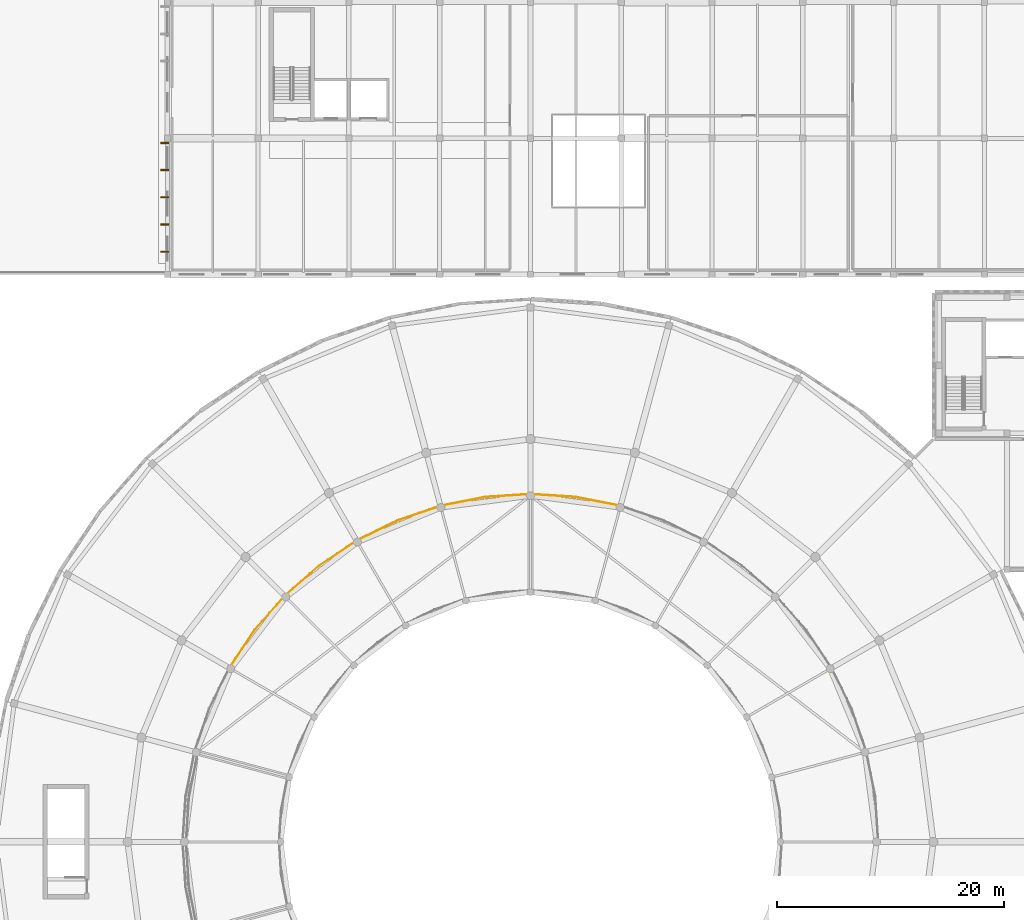
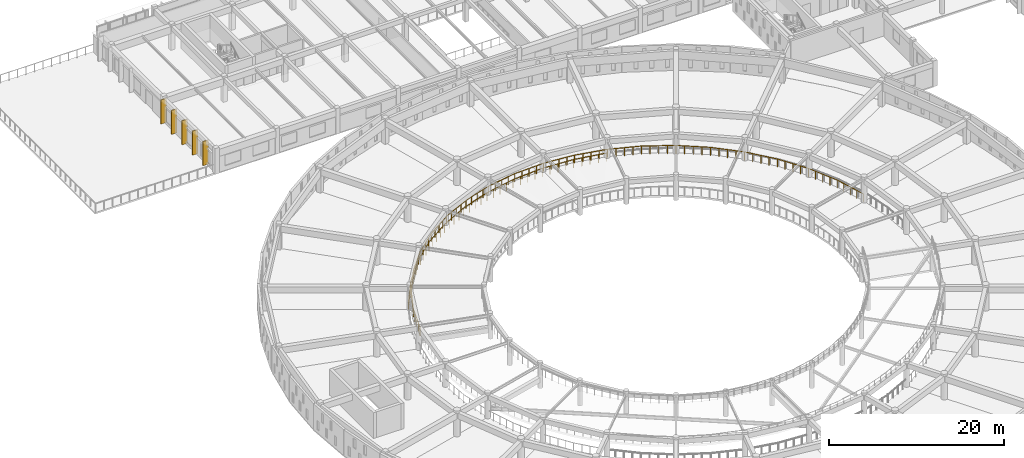
# One storey, part 135 of 155: 5 coverings, 2 railings.
"""IFC4 building model written with IfcOpenShell, lengths in metres."""

from ifc_helpers import new_model, si_unit, direction, frame, origin, origin_2d, place, context, subcontext, project, spatial, rectangle, circle, extrude, material, layer, layer_set, type_object, element, save


model = new_model("IFC4")

# Units and contexts
model_context = context("Model", 3, precision=1e-05, world=origin(), true_north=direction((0.0, 1.0)))
body_context = subcontext(model_context, "Body", "Model", "MODEL_VIEW")
ifc_project = project(units=[si_unit("LENGTHUNIT", "METRE"), si_unit("AREAUNIT", "SQUARE_METRE"), si_unit("VOLUMEUNIT", "CUBIC_METRE"), si_unit("PLANEANGLEUNIT", "RADIAN"), si_unit("MASSUNIT", "GRAM", prefix="KILO")], contexts=[model_context])

# Site, building, storey
site_placement = place(None, origin())
site = spatial("IfcSite", under=ifc_project, at=site_placement, CompositionType="ELEMENT")
building_placement = place(site_placement, origin())
building = spatial("IfcBuilding", under=site, at=building_placement, Name="Larkveld Mobility Hub", CompositionType="ELEMENT")
storey_placement = place(building_placement, frame((0.0, 0.0, 8.39990234375)))
storey = spatial("IfcBuildingStorey", under=building, at=storey_placement, Name="L02", CompositionType="ELEMENT", Elevation=8.39990234375)

# Coverings
ifc_material_1 = material(Name="Precast concrete C50/60", Category="concrete")
ifc_layer = layer(ifc_material_1, 0.1201171875, Name="Precast concrete C50/60", Category="concrete")
ifc_layer_set = layer_set([ifc_layer], Name="Precast concrete C50/60")
covering_type = type_object("IfcCoveringType", Name="COV-QSL-V01", PredefinedType="CLADDING", material=ifc_layer_set)
for number, where, z_axis, x_axis, name in (
    (1, (15.760009765625, 109.60009765625, -0.019287109375), (0.0, 0.0, 1.0), (0.0, -1.0, 0.0), "Precast Quebra-Sol Vertical Fin QSV-151"),
    (2, (15.760009765625, 107.199951171875, -0.019287109375), (0.0, 0.0, 1.0), (0.0, -1.0, 0.0), "Precast Quebra-Sol Vertical Fin QSV-152"),
    (3, (15.760009765625, 104.800048828125, -0.019287109375), (0.0, 0.0, 1.0), (0.0, -1.0, 0.0), "Precast Quebra-Sol Vertical Fin QSV-153"),
    (4, (15.760009765625, 102.39990234375, -0.019287109375), (0.0, 0.0, 1.0), (0.0, -1.0, 0.0), "Precast Quebra-Sol Vertical Fin QSV-154"),
    (5, (15.760009765625, 100.0, -0.019287109375), (0.0, 0.0, 1.0), (0.0, -1.0, 0.0), "Precast Quebra-Sol Vertical Fin QSV-155"),
):
    element("IfcCovering", number, at=place(storey_placement, frame(where, z_axis=z_axis, x_axis=x_axis)), inside=storey, type_object=covering_type, Name=name, PredefinedType="CLADDING", context=body_context, shape_type="SweptSolid", body=[
        extrude(rectangle(XDim=0.1201171875, YDim=0.719970703125, at=origin_2d()), origin(), (0.0, 0.0, 1.0), 3.375),
    ])

# Railings
ifc_material_2 = material(Name="Anodized aluminium 6063-T6 balustrade", Category="aluminium")
railing_type_1 = type_object("IfcRailingType", Name="RL-GRD-1150", PredefinedType="GUARDRAIL", material=ifc_material_2)
railing_1_placement = place(storey_placement, frame((55.93310546875, 77.60595703125, 0.0)))
element("IfcRailing", 6, at=railing_1_placement, inside=storey, type_object=railing_type_1, Name="Drum Ramp Well Guardrail L02-043", PredefinedType="GUARDRAIL", context=body_context, shape_type="SweptSolid", body=[
    extrude(circle(Radius=0.02392578125, at=origin_2d()), frame((0.0, 0.0, 1.1259765625), z_axis=(-0.980793233096, 0.195050336869, 0.0), x_axis=(-0.195050336869, -0.980793233096, 0.0)), (0.0, 0.0, 1.0), 4.009033203125),
    extrude(circle(Radius=0.02392578125, at=origin_2d()), frame((-3.93212890625, 0.781982421875, 1.1259765625), z_axis=(-0.997863396539, 0.065334844062, 0.0), x_axis=(-0.065334844062, -0.997863396539, 0.0)), (0.0, 0.0, 1.0), 4.009521484375),
    extrude(circle(Radius=0.02392578125, at=origin_2d()), frame((-7.93310546875, 1.0439453125, 1.1259765625), z_axis=(-0.997863396539, -0.065334844062, 0.0), x_axis=(0.065334844062, -0.997863396539, 0.0)), (0.0, 0.0, 1.0), 4.009521484375),
    extrude(circle(Radius=0.02392578125, at=origin_2d()), frame((-11.93408203125, 0.781982421875, 1.1259765625), z_axis=(-0.980793233096, -0.195050336869, 0.0), x_axis=(0.195050336869, -0.980793233096, 0.0)), (0.0, 0.0, 1.0), 4.009033203125),
    extrude(circle(Radius=0.02392578125, at=origin_2d()), frame((-15.8662109375, 0.0, 1.1259765625), z_axis=(-0.946889985865, -0.321557700371, 0.0), x_axis=(0.321557700371, -0.946889985865, 0.0)), (0.0, 0.0, 1.0), 4.0087890625),
    extrude(circle(Radius=0.02392578125, at=origin_2d()), frame((-19.662109375, -1.2890625, 1.1259765625), z_axis=(-0.89690991287, -0.442213306217, 0.0), x_axis=(0.442213306217, -0.89690991287, 0.0)), (0.0, 0.0, 1.0), 4.00927734375),
    extrude(circle(Radius=0.02392578125, at=origin_2d()), frame((-23.258056640625, -3.06201171875, 1.1259765625), z_axis=(-0.831431571078, -0.555627161516, 0.0), x_axis=(0.555627161516, -0.831431571078, 0.0)), (0.0, 0.0, 1.0), 4.010009765625),
    extrude(circle(Radius=0.02392578125, at=origin_2d()), frame((-26.592041015625, -5.2900390625, 1.1259765625), z_axis=(-0.75190475676, -0.65927174728, 0.0), x_axis=(0.65927174728, -0.75190475676, 0.0)), (0.0, 0.0, 1.0), 4.0087890625),
    extrude(circle(Radius=0.02392578125, at=origin_2d()), frame((-29.606201171875, -7.932861328125, 1.1259765625), z_axis=(-0.65927174728, -0.75190475676, 0.0), x_axis=(0.75190475676, -0.65927174728, 0.0)), (0.0, 0.0, 1.0), 4.0087890625),
    extrude(circle(Radius=0.02392578125, at=origin_2d()), frame((-32.2490234375, -10.947021484375, 1.1259765625), z_axis=(-0.555627161516, -0.831431571078, 0.0), x_axis=(0.831431571078, -0.555627161516, 0.0)), (0.0, 0.0, 1.0), 4.010009765625),
    extrude(circle(Radius=0.02099609375, at=origin_2d()), origin(), (0.0, 0.0, 1.0), 1.101806640625),
    extrude(circle(Radius=0.02099609375, at=origin_2d()), frame((-0.98291015625, 0.195556640625, 0.0)), (0.0, 0.0, 1.0), 1.101806640625),
    extrude(circle(Radius=0.02099609375, at=origin_2d()), frame((-1.966064453125, 0.39111328125, 0.0)), (0.0, 0.0, 1.0), 1.101806640625),
    extrude(circle(Radius=0.02099609375, at=origin_2d()), frame((-2.94921875, 0.58642578125, 0.0)), (0.0, 0.0, 1.0), 1.101806640625),
    extrude(circle(Radius=0.02099609375, at=origin_2d()), frame((-3.93212890625, 0.781982421875, 0.0)), (0.0, 0.0, 1.0), 1.101806640625),
    extrude(circle(Radius=0.02099609375, at=origin_2d()), frame((-4.932373046875, 0.847412109375, 0.0)), (0.0, 0.0, 1.0), 1.101806640625),
    extrude(circle(Radius=0.02099609375, at=origin_2d()), frame((-5.9326171875, 0.9130859375, 0.0)), (0.0, 0.0, 1.0), 1.101806640625),
    extrude(circle(Radius=0.02099609375, at=origin_2d()), frame((-6.932861328125, 0.978515625, 0.0)), (0.0, 0.0, 1.0), 1.101806640625),
    extrude(circle(Radius=0.02099609375, at=origin_2d()), frame((-7.93310546875, 1.0439453125, 0.0)), (0.0, 0.0, 1.0), 1.101806640625),
    extrude(circle(Radius=0.02099609375, at=origin_2d()), frame((-8.933349609375, 0.978515625, 0.0)), (0.0, 0.0, 1.0), 1.101806640625),
    extrude(circle(Radius=0.02099609375, at=origin_2d()), frame((-9.93359375, 0.9130859375, 0.0)), (0.0, 0.0, 1.0), 1.101806640625),
    extrude(circle(Radius=0.02099609375, at=origin_2d()), frame((-10.933837890625, 0.847412109375, 0.0)), (0.0, 0.0, 1.0), 1.101806640625),
    extrude(circle(Radius=0.02099609375, at=origin_2d()), frame((-11.93408203125, 0.781982421875, 0.0)), (0.0, 0.0, 1.0), 1.101806640625),
    extrude(circle(Radius=0.02099609375, at=origin_2d()), frame((-12.9169921875, 0.58642578125, 0.0)), (0.0, 0.0, 1.0), 1.101806640625),
    extrude(circle(Radius=0.02099609375, at=origin_2d()), frame((-13.900146484375, 0.39111328125, 0.0)), (0.0, 0.0, 1.0), 1.101806640625),
    extrude(circle(Radius=0.02099609375, at=origin_2d()), frame((-14.88330078125, 0.195556640625, 0.0)), (0.0, 0.0, 1.0), 1.101806640625),
    extrude(circle(Radius=0.02099609375, at=origin_2d()), frame((-15.8662109375, 0.0, 0.0)), (0.0, 0.0, 1.0), 1.101806640625),
    extrude(circle(Radius=0.02099609375, at=origin_2d()), frame((-16.815185546875, -0.322265625, 0.0)), (0.0, 0.0, 1.0), 1.101806640625),
    extrude(circle(Radius=0.02099609375, at=origin_2d()), frame((-17.76416015625, -0.64453125, 0.0)), (0.0, 0.0, 1.0), 1.101806640625),
    extrude(circle(Radius=0.02099609375, at=origin_2d()), frame((-18.713134765625, -0.966796875, 0.0)), (0.0, 0.0, 1.0), 1.101806640625),
    extrude(circle(Radius=0.02099609375, at=origin_2d()), frame((-19.662109375, -1.2890625, 0.0)), (0.0, 0.0, 1.0), 1.101806640625),
    extrude(circle(Radius=0.02099609375, at=origin_2d()), frame((-20.56103515625, -1.732421875, 0.0)), (0.0, 0.0, 1.0), 1.101806640625),
    extrude(circle(Radius=0.02099609375, at=origin_2d()), frame((-21.4599609375, -2.175537109375, 0.0)), (0.0, 0.0, 1.0), 1.101806640625),
    extrude(circle(Radius=0.02099609375, at=origin_2d()), frame((-22.359130859375, -2.61865234375, 0.0)), (0.0, 0.0, 1.0), 1.101806640625),
    extrude(circle(Radius=0.02099609375, at=origin_2d()), frame((-23.258056640625, -3.06201171875, 0.0)), (0.0, 0.0, 1.0), 1.101806640625),
    extrude(circle(Radius=0.02099609375, at=origin_2d()), frame((-24.091552734375, -3.619140625, 0.0)), (0.0, 0.0, 1.0), 1.101806640625),
    extrude(circle(Radius=0.02099609375, at=origin_2d()), frame((-24.925048828125, -4.176025390625, 0.0)), (0.0, 0.0, 1.0), 1.101806640625),
    extrude(circle(Radius=0.02099609375, at=origin_2d()), frame((-25.758544921875, -4.73291015625, 0.0)), (0.0, 0.0, 1.0), 1.101806640625),
    extrude(circle(Radius=0.02099609375, at=origin_2d()), frame((-26.592041015625, -5.2900390625, 0.0)), (0.0, 0.0, 1.0), 1.101806640625),
    extrude(circle(Radius=0.02099609375, at=origin_2d()), frame((-27.345703125, -5.95068359375, 0.0)), (0.0, 0.0, 1.0), 1.101806640625),
    extrude(circle(Radius=0.02099609375, at=origin_2d()), frame((-28.09912109375, -6.611328125, 0.0)), (0.0, 0.0, 1.0), 1.101806640625),
    extrude(circle(Radius=0.02099609375, at=origin_2d()), frame((-28.8525390625, -7.272216796875, 0.0)), (0.0, 0.0, 1.0), 1.101806640625),
    extrude(circle(Radius=0.02099609375, at=origin_2d()), frame((-29.606201171875, -7.932861328125, 0.0)), (0.0, 0.0, 1.0), 1.101806640625),
    extrude(circle(Radius=0.02099609375, at=origin_2d()), frame((-30.266845703125, -8.6865234375, 0.0)), (0.0, 0.0, 1.0), 1.101806640625),
    extrude(circle(Radius=0.02099609375, at=origin_2d()), frame((-30.927734375, -9.43994140625, 0.0)), (0.0, 0.0, 1.0), 1.101806640625),
    extrude(circle(Radius=0.02099609375, at=origin_2d()), frame((-31.58837890625, -10.193359375, 0.0)), (0.0, 0.0, 1.0), 1.101806640625),
    extrude(circle(Radius=0.02099609375, at=origin_2d()), frame((-32.2490234375, -10.947021484375, 0.0)), (0.0, 0.0, 1.0), 1.101806640625),
    extrude(circle(Radius=0.02099609375, at=origin_2d()), frame((-32.80615234375, -11.780517578125, 0.0)), (0.0, 0.0, 1.0), 1.101806640625),
    extrude(circle(Radius=0.02099609375, at=origin_2d()), frame((-33.363037109375, -12.614013671875, 0.0)), (0.0, 0.0, 1.0), 1.101806640625),
    extrude(circle(Radius=0.02099609375, at=origin_2d()), frame((-33.919921875, -13.447509765625, 0.0)), (0.0, 0.0, 1.0), 1.101806640625),
    extrude(circle(Radius=0.02099609375, at=origin_2d()), frame((-34.47705078125, -14.281005859375, 0.0)), (0.0, 0.0, 1.0), 1.101806640625),
])
ifc_material_3 = material(Name="Galvanized Steel S355JR vehicle-deck guard", Category="steel")
railing_type_2 = type_object("IfcRailingType", Name="RL-GRD-RMP", PredefinedType="GUARDRAIL", material=ifc_material_3)
railing_2_placement = place(storey_placement, frame((77.31591796875, 55.85498046875, 0.0)))
element("IfcRailing", 7, at=railing_2_placement, inside=storey, type_object=railing_type_2, Name="Helical Ramp Outer Sloped Guard T1 L02-018", PredefinedType="GUARDRAIL", context=body_context, shape_type="SweptSolid", body=[
    extrude(circle(Radius=0.02392578125, at=origin_2d()), frame((0.0, 0.0, 1.1259765625), z_axis=(-0.321324898767, 0.946697180695, 0.022688267823), x_axis=(-0.94694093454, -0.321407632909, 0.0)), (0.0, 0.0, 1.0), 3.970703125),
    extrude(circle(Radius=0.02392578125, at=origin_2d()), frame((-1.27587890625, 3.759033203125, 1.2158203125), z_axis=(-0.442173939424, 0.896642441324, 0.022683467767), x_axis=(-0.896873209453, -0.442287741368, 0.0)), (0.0, 0.0, 1.0), 3.971435546875),
    extrude(circle(Radius=0.02392578125, at=origin_2d()), frame((-3.031982421875, 7.320068359375, 1.30615234375), z_axis=(-0.555494200145, 0.831212602939, 0.022623048434), x_axis=(-0.831425392892, -0.555636406344, 0.0)), (0.0, 0.0, 1.0), 3.971435546875),
    extrude(circle(Radius=0.02392578125, at=origin_2d()), frame((-5.238037109375, 10.62109375, 1.39599609375), z_axis=(-0.659074793901, 0.751735090049, 0.022688552939), x_axis=(-0.75192865028, -0.659244495531, 0.0)), (0.0, 0.0, 1.0), 3.970703125),
    extrude(circle(Radius=0.02392578125, at=origin_2d()), frame((-7.85498046875, 13.60595703125, 1.48583984375), z_axis=(-0.751735090049, 0.659074793901, 0.022688552939), x_axis=(-0.659244495531, -0.75192865028, 0.0)), (0.0, 0.0, 1.0), 3.970703125),
    extrude(circle(Radius=0.02392578125, at=origin_2d()), frame((-10.83984375, 16.222900390625, 1.576171875), z_axis=(-0.831212602939, 0.555494200145, 0.022623048434), x_axis=(-0.555636406344, -0.831425392892, 0.0)), (0.0, 0.0, 1.0), 3.971435546875),
    extrude(circle(Radius=0.02392578125, at=origin_2d()), frame((-14.140869140625, 18.428955078125, 1.666015625), z_axis=(-0.896642441324, 0.442173939424, 0.022683467767), x_axis=(-0.442287741368, -0.896873209453, 0.0)), (0.0, 0.0, 1.0), 3.971435546875),
    extrude(circle(Radius=0.02392578125, at=origin_2d()), frame((-17.701904296875, 20.18505859375, 1.755859375), z_axis=(-0.946697180695, 0.321324898767, 0.022688267823), x_axis=(-0.321407632909, -0.94694093454, 0.0)), (0.0, 0.0, 1.0), 3.970703125),
    extrude(circle(Radius=0.02392578125, at=origin_2d()), frame((-21.4609375, 21.4609375, 1.84619140625), z_axis=(-0.980553686418, 0.194942679601, 0.022623433016), x_axis=(-0.194992586513, -0.980804716141, 0.0)), (0.0, 0.0, 1.0), 3.97119140625),
    extrude(circle(Radius=0.02392578125, at=origin_2d()), frame((-25.35498046875, 22.235107421875, 1.93603515625), z_axis=(-0.997595519561, 0.065485652634, 0.022689395138), x_axis=(-0.065502515435, -0.997852404152, 0.0)), (0.0, 0.0, 1.0), 3.970458984375),
    extrude(circle(Radius=0.02392578125, at=origin_2d()), frame((-29.31591796875, 22.4951171875, 2.02587890625), z_axis=(-0.997596909468, -0.065485743872, 0.022627937789), x_axis=(0.065502515435, -0.997852404152, 0.0)), (0.0, 0.0, 1.0), 3.970458984375),
    extrude(circle(Radius=0.02392578125, at=origin_2d()), frame((-33.27685546875, 22.235107421875, 2.11572265625), z_axis=(-0.9805523208, -0.194942408104, 0.022684878143), x_axis=(0.194992586513, -0.980804716141, 0.0)), (0.0, 0.0, 1.0), 3.97119140625),
    extrude(circle(Radius=0.02392578125, at=origin_2d()), frame((-37.1708984375, 21.4609375, 2.2060546875), z_axis=(-0.946697180695, -0.321324898767, 0.022688267823), x_axis=(0.321407632909, -0.94694093454, 0.0)), (0.0, 0.0, 1.0), 3.970703125),
    extrude(circle(Radius=0.02392578125, at=origin_2d()), frame((-40.929931640625, 20.18505859375, 2.2958984375), z_axis=(-0.896643689926, -0.442174555165, 0.022622026456), x_axis=(0.442287741368, -0.896873209453, 0.0)), (0.0, 0.0, 1.0), 3.971435546875),
    extrude(circle(Radius=0.02392578125, at=origin_2d()), frame((-44.490966796875, 18.428955078125, 2.3857421875), z_axis=(-0.831211445348, -0.555493426534, 0.022684492518), x_axis=(0.555636406344, -0.831425392892, 0.0)), (0.0, 0.0, 1.0), 3.971435546875),
    extrude(circle(Radius=0.02392578125, at=origin_2d()), frame((-47.7919921875, 16.222900390625, 2.47607421875), z_axis=(-0.751735090049, -0.659074793901, 0.022688552939), x_axis=(0.659244495531, -0.75192865028, 0.0)), (0.0, 0.0, 1.0), 3.970703125),
    extrude(circle(Radius=0.02392578125, at=origin_2d()), frame((-50.77685546875, 13.60595703125, 2.56591796875), z_axis=(-0.659075712094, -0.751736137332, 0.022627097868), x_axis=(0.75192865028, -0.659244495531, 0.0)), (0.0, 0.0, 1.0), 3.970703125),
    extrude(circle(Radius=0.02392578125, at=origin_2d()), frame((-53.393798828125, 10.62109375, 2.65576171875), z_axis=(-0.555493426534, -0.831211445348, 0.022684492518), x_axis=(0.831425392892, -0.555636406344, 0.0)), (0.0, 0.0, 1.0), 3.971435546875),
    extrude(circle(Radius=0.02392578125, at=origin_2d()), frame((-55.599853515625, 7.320068359375, 2.74609375), z_axis=(-0.442173939424, -0.896642441324, 0.022683467767), x_axis=(0.896873209453, -0.442287741368, 0.0)), (0.0, 0.0, 1.0), 3.971435546875),
    extrude(circle(Radius=0.02392578125, at=origin_2d()), frame((-57.35595703125, 3.759033203125, 2.8359375), z_axis=(-0.321325346411, -0.946698499557, 0.022626813525), x_axis=(0.94694093454, -0.321407632909, 0.0)), (0.0, 0.0, 1.0), 3.970703125),
    extrude(circle(Radius=0.02099609375, at=origin_2d()), origin(), (0.0, 0.0, 1.0), 1.101806640625),
    extrude(circle(Radius=0.02099609375, at=origin_2d()), frame((-0.31884765625, 0.939697265625, 0.0224609375)), (0.0, 0.0, 1.0), 1.101806640625),
    extrude(circle(Radius=0.02099609375, at=origin_2d()), frame((-0.637939453125, 1.87939453125, 0.044921875)), (0.0, 0.0, 1.0), 1.101806640625),
    extrude(circle(Radius=0.02099609375, at=origin_2d()), frame((-0.95703125, 2.8193359375, 0.067626953125)), (0.0, 0.0, 1.0), 1.101806640625),
    extrude(circle(Radius=0.02099609375, at=origin_2d()), frame((-1.27587890625, 3.759033203125, 0.090087890625)), (0.0, 0.0, 1.0), 1.101806640625),
    extrude(circle(Radius=0.02099609375, at=origin_2d()), frame((-1.71484375, 4.6494140625, 0.112548828125)), (0.0, 0.0, 1.0), 1.101806640625),
    extrude(circle(Radius=0.02099609375, at=origin_2d()), frame((-2.15380859375, 5.53955078125, 0.13525390625)), (0.0, 0.0, 1.0), 1.101806640625),
    extrude(circle(Radius=0.02099609375, at=origin_2d()), frame((-2.593017578125, 6.4296875, 0.15771484375)), (0.0, 0.0, 1.0), 1.101806640625),
    extrude(circle(Radius=0.02099609375, at=origin_2d()), frame((-3.031982421875, 7.320068359375, 0.18017578125)), (0.0, 0.0, 1.0), 1.101806640625),
    extrude(circle(Radius=0.02099609375, at=origin_2d()), frame((-3.58349609375, 8.145263671875, 0.20263671875)), (0.0, 0.0, 1.0), 1.101806640625),
    extrude(circle(Radius=0.02099609375, at=origin_2d()), frame((-4.135009765625, 8.970703125, 0.22509765625)), (0.0, 0.0, 1.0), 1.101806640625),
    extrude(circle(Radius=0.02099609375, at=origin_2d()), frame((-4.6865234375, 9.7958984375, 0.24755859375)), (0.0, 0.0, 1.0), 1.101806640625),
    extrude(circle(Radius=0.02099609375, at=origin_2d()), frame((-5.238037109375, 10.62109375, 0.27001953125)), (0.0, 0.0, 1.0), 1.101806640625),
    extrude(circle(Radius=0.02099609375, at=origin_2d()), frame((-5.892333984375, 11.3671875, 0.29248046875)), (0.0, 0.0, 1.0), 1.101806640625),
    extrude(circle(Radius=0.02099609375, at=origin_2d()), frame((-6.54638671875, 12.113525390625, 0.31494140625)), (0.0, 0.0, 1.0), 1.101806640625),
    extrude(circle(Radius=0.02099609375, at=origin_2d()), frame((-7.20068359375, 12.85986328125, 0.337646484375)), (0.0, 0.0, 1.0), 1.101806640625),
    extrude(circle(Radius=0.02099609375, at=origin_2d()), frame((-7.85498046875, 13.60595703125, 0.360107421875)), (0.0, 0.0, 1.0), 1.101806640625),
    extrude(circle(Radius=0.02099609375, at=origin_2d()), frame((-8.60107421875, 14.26025390625, 0.382568359375)), (0.0, 0.0, 1.0), 1.101806640625),
    extrude(circle(Radius=0.02099609375, at=origin_2d()), frame((-9.347412109375, 14.91455078125, 0.4052734375)), (0.0, 0.0, 1.0), 1.101806640625),
    extrude(circle(Radius=0.02099609375, at=origin_2d()), frame((-10.09375, 15.568603515625, 0.427734375)), (0.0, 0.0, 1.0), 1.101806640625),
    extrude(circle(Radius=0.02099609375, at=origin_2d()), frame((-10.83984375, 16.222900390625, 0.4501953125)), (0.0, 0.0, 1.0), 1.101806640625),
    extrude(circle(Radius=0.02099609375, at=origin_2d()), frame((-11.6650390625, 16.7744140625, 0.47265625)), (0.0, 0.0, 1.0), 1.101806640625),
    extrude(circle(Radius=0.02099609375, at=origin_2d()), frame((-12.490234375, 17.325927734375, 0.4951171875)), (0.0, 0.0, 1.0), 1.101806640625),
    extrude(circle(Radius=0.02099609375, at=origin_2d()), frame((-13.315673828125, 17.87744140625, 0.517578125)), (0.0, 0.0, 1.0), 1.101806640625),
    extrude(circle(Radius=0.02099609375, at=origin_2d()), frame((-14.140869140625, 18.428955078125, 0.5400390625)), (0.0, 0.0, 1.0), 1.101806640625),
    extrude(circle(Radius=0.02099609375, at=origin_2d()), frame((-15.03125, 18.867919921875, 0.5625)), (0.0, 0.0, 1.0), 1.101806640625),
    extrude(circle(Radius=0.02099609375, at=origin_2d()), frame((-15.92138671875, 19.30712890625, 0.5849609375)), (0.0, 0.0, 1.0), 1.101806640625),
    extrude(circle(Radius=0.02099609375, at=origin_2d()), frame((-16.8115234375, 19.74609375, 0.607666015625)), (0.0, 0.0, 1.0), 1.101806640625),
    extrude(circle(Radius=0.02099609375, at=origin_2d()), frame((-17.701904296875, 20.18505859375, 0.630126953125)), (0.0, 0.0, 1.0), 1.101806640625),
    extrude(circle(Radius=0.02099609375, at=origin_2d()), frame((-18.6416015625, 20.50390625, 0.652587890625)), (0.0, 0.0, 1.0), 1.101806640625),
    extrude(circle(Radius=0.02099609375, at=origin_2d()), frame((-19.58154296875, 20.822998046875, 0.67529296875)), (0.0, 0.0, 1.0), 1.101806640625),
    extrude(circle(Radius=0.02099609375, at=origin_2d()), frame((-20.521240234375, 21.14208984375, 0.69775390625)), (0.0, 0.0, 1.0), 1.101806640625),
    extrude(circle(Radius=0.02099609375, at=origin_2d()), frame((-21.4609375, 21.4609375, 0.72021484375)), (0.0, 0.0, 1.0), 1.101806640625),
    extrude(circle(Radius=0.02099609375, at=origin_2d()), frame((-22.4345703125, 21.654541015625, 0.74267578125)), (0.0, 0.0, 1.0), 1.101806640625),
    extrude(circle(Radius=0.02099609375, at=origin_2d()), frame((-23.407958984375, 21.84814453125, 0.76513671875)), (0.0, 0.0, 1.0), 1.101806640625),
    extrude(circle(Radius=0.02099609375, at=origin_2d()), frame((-24.38134765625, 22.04150390625, 0.78759765625)), (0.0, 0.0, 1.0), 1.101806640625),
    extrude(circle(Radius=0.02099609375, at=origin_2d()), frame((-25.35498046875, 22.235107421875, 0.81005859375)), (0.0, 0.0, 1.0), 1.101806640625),
    extrude(circle(Radius=0.02099609375, at=origin_2d()), frame((-26.34521484375, 22.300048828125, 0.83251953125)), (0.0, 0.0, 1.0), 1.101806640625),
    extrude(circle(Radius=0.02099609375, at=origin_2d()), frame((-27.33544921875, 22.365234375, 0.85498046875)), (0.0, 0.0, 1.0), 1.101806640625),
    extrude(circle(Radius=0.02099609375, at=origin_2d()), frame((-28.32568359375, 22.43017578125, 0.877685546875)), (0.0, 0.0, 1.0), 1.101806640625),
    extrude(circle(Radius=0.02099609375, at=origin_2d()), frame((-29.31591796875, 22.4951171875, 0.900146484375)), (0.0, 0.0, 1.0), 1.101806640625),
    extrude(circle(Radius=0.02099609375, at=origin_2d()), frame((-30.30615234375, 22.43017578125, 0.922607421875)), (0.0, 0.0, 1.0), 1.101806640625),
    extrude(circle(Radius=0.02099609375, at=origin_2d()), frame((-31.29638671875, 22.365234375, 0.945068359375)), (0.0, 0.0, 1.0), 1.101806640625),
    extrude(circle(Radius=0.02099609375, at=origin_2d()), frame((-32.28662109375, 22.300048828125, 0.967529296875)), (0.0, 0.0, 1.0), 1.101806640625),
    extrude(circle(Radius=0.02099609375, at=origin_2d()), frame((-33.27685546875, 22.235107421875, 0.989990234375)), (0.0, 0.0, 1.0), 1.101806640625),
    extrude(circle(Radius=0.02099609375, at=origin_2d()), frame((-34.25048828125, 22.04150390625, 1.012451171875)), (0.0, 0.0, 1.0), 1.101806640625),
    extrude(circle(Radius=0.02099609375, at=origin_2d()), frame((-35.223876953125, 21.84814453125, 1.03515625)), (0.0, 0.0, 1.0), 1.101806640625),
    extrude(circle(Radius=0.02099609375, at=origin_2d()), frame((-36.197265625, 21.654541015625, 1.0576171875)), (0.0, 0.0, 1.0), 1.101806640625),
    extrude(circle(Radius=0.02099609375, at=origin_2d()), frame((-37.1708984375, 21.4609375, 1.080078125)), (0.0, 0.0, 1.0), 1.101806640625),
    extrude(circle(Radius=0.02099609375, at=origin_2d()), frame((-38.110595703125, 21.14208984375, 1.1025390625)), (0.0, 0.0, 1.0), 1.101806640625),
    extrude(circle(Radius=0.02099609375, at=origin_2d()), frame((-39.05029296875, 20.822998046875, 1.125)), (0.0, 0.0, 1.0), 1.101806640625),
    extrude(circle(Radius=0.02099609375, at=origin_2d()), frame((-39.990234375, 20.50390625, 1.147705078125)), (0.0, 0.0, 1.0), 1.101806640625),
    extrude(circle(Radius=0.02099609375, at=origin_2d()), frame((-40.929931640625, 20.18505859375, 1.170166015625)), (0.0, 0.0, 1.0), 1.101806640625),
    extrude(circle(Radius=0.02099609375, at=origin_2d()), frame((-41.8203125, 19.74609375, 1.192626953125)), (0.0, 0.0, 1.0), 1.101806640625),
    extrude(circle(Radius=0.02099609375, at=origin_2d()), frame((-42.71044921875, 19.30712890625, 1.215087890625)), (0.0, 0.0, 1.0), 1.101806640625),
    extrude(circle(Radius=0.02099609375, at=origin_2d()), frame((-43.6005859375, 18.867919921875, 1.237548828125)), (0.0, 0.0, 1.0), 1.101806640625),
    extrude(circle(Radius=0.02099609375, at=origin_2d()), frame((-44.490966796875, 18.428955078125, 1.260009765625)), (0.0, 0.0, 1.0), 1.101806640625),
    extrude(circle(Radius=0.02099609375, at=origin_2d()), frame((-45.316162109375, 17.87744140625, 1.282470703125)), (0.0, 0.0, 1.0), 1.101806640625),
    extrude(circle(Radius=0.02099609375, at=origin_2d()), frame((-46.1416015625, 17.325927734375, 1.30517578125)), (0.0, 0.0, 1.0), 1.101806640625),
    extrude(circle(Radius=0.02099609375, at=origin_2d()), frame((-46.966796875, 16.7744140625, 1.32763671875)), (0.0, 0.0, 1.0), 1.101806640625),
    extrude(circle(Radius=0.02099609375, at=origin_2d()), frame((-47.7919921875, 16.222900390625, 1.35009765625)), (0.0, 0.0, 1.0), 1.101806640625),
    extrude(circle(Radius=0.02099609375, at=origin_2d()), frame((-48.5380859375, 15.568603515625, 1.37255859375)), (0.0, 0.0, 1.0), 1.101806640625),
    extrude(circle(Radius=0.02099609375, at=origin_2d()), frame((-49.284423828125, 14.91455078125, 1.39501953125)), (0.0, 0.0, 1.0), 1.101806640625),
    extrude(circle(Radius=0.02099609375, at=origin_2d()), frame((-50.03076171875, 14.26025390625, 1.417724609375)), (0.0, 0.0, 1.0), 1.101806640625),
    extrude(circle(Radius=0.02099609375, at=origin_2d()), frame((-50.77685546875, 13.60595703125, 1.440185546875)), (0.0, 0.0, 1.0), 1.101806640625),
    extrude(circle(Radius=0.02099609375, at=origin_2d()), frame((-51.43115234375, 12.85986328125, 1.462646484375)), (0.0, 0.0, 1.0), 1.101806640625),
    extrude(circle(Radius=0.02099609375, at=origin_2d()), frame((-52.08544921875, 12.113525390625, 1.485107421875)), (0.0, 0.0, 1.0), 1.101806640625),
    extrude(circle(Radius=0.02099609375, at=origin_2d()), frame((-52.739501953125, 11.3671875, 1.507568359375)), (0.0, 0.0, 1.0), 1.101806640625),
    extrude(circle(Radius=0.02099609375, at=origin_2d()), frame((-53.393798828125, 10.62109375, 1.530029296875)), (0.0, 0.0, 1.0), 1.101806640625),
    extrude(circle(Radius=0.02099609375, at=origin_2d()), frame((-53.9453125, 9.7958984375, 1.552490234375)), (0.0, 0.0, 1.0), 1.101806640625),
    extrude(circle(Radius=0.02099609375, at=origin_2d()), frame((-54.496826171875, 8.970703125, 1.5751953125)), (0.0, 0.0, 1.0), 1.101806640625),
    extrude(circle(Radius=0.02099609375, at=origin_2d()), frame((-55.04833984375, 8.145263671875, 1.59765625)), (0.0, 0.0, 1.0), 1.101806640625),
    extrude(circle(Radius=0.02099609375, at=origin_2d()), frame((-55.599853515625, 7.320068359375, 1.6201171875)), (0.0, 0.0, 1.0), 1.101806640625),
    extrude(circle(Radius=0.02099609375, at=origin_2d()), frame((-56.038818359375, 6.4296875, 1.642578125)), (0.0, 0.0, 1.0), 1.101806640625),
    extrude(circle(Radius=0.02099609375, at=origin_2d()), frame((-56.47802734375, 5.53955078125, 1.6650390625)), (0.0, 0.0, 1.0), 1.101806640625),
    extrude(circle(Radius=0.02099609375, at=origin_2d()), frame((-56.9169921875, 4.6494140625, 1.687744140625)), (0.0, 0.0, 1.0), 1.101806640625),
    extrude(circle(Radius=0.02099609375, at=origin_2d()), frame((-57.35595703125, 3.759033203125, 1.710205078125)), (0.0, 0.0, 1.0), 1.101806640625),
    extrude(circle(Radius=0.02099609375, at=origin_2d()), frame((-57.6748046875, 2.8193359375, 1.732666015625)), (0.0, 0.0, 1.0), 1.101806640625),
    extrude(circle(Radius=0.02099609375, at=origin_2d()), frame((-57.993896484375, 1.87939453125, 1.755126953125)), (0.0, 0.0, 1.0), 1.101806640625),
    extrude(circle(Radius=0.02099609375, at=origin_2d()), frame((-58.31298828125, 0.939697265625, 1.777587890625)), (0.0, 0.0, 1.0), 1.101806640625),
    extrude(circle(Radius=0.02099609375, at=origin_2d()), frame((-58.6318359375, 0.0, 1.800048828125)), (0.0, 0.0, 1.0), 1.101806640625),
])

save(model, "model.ifc")
